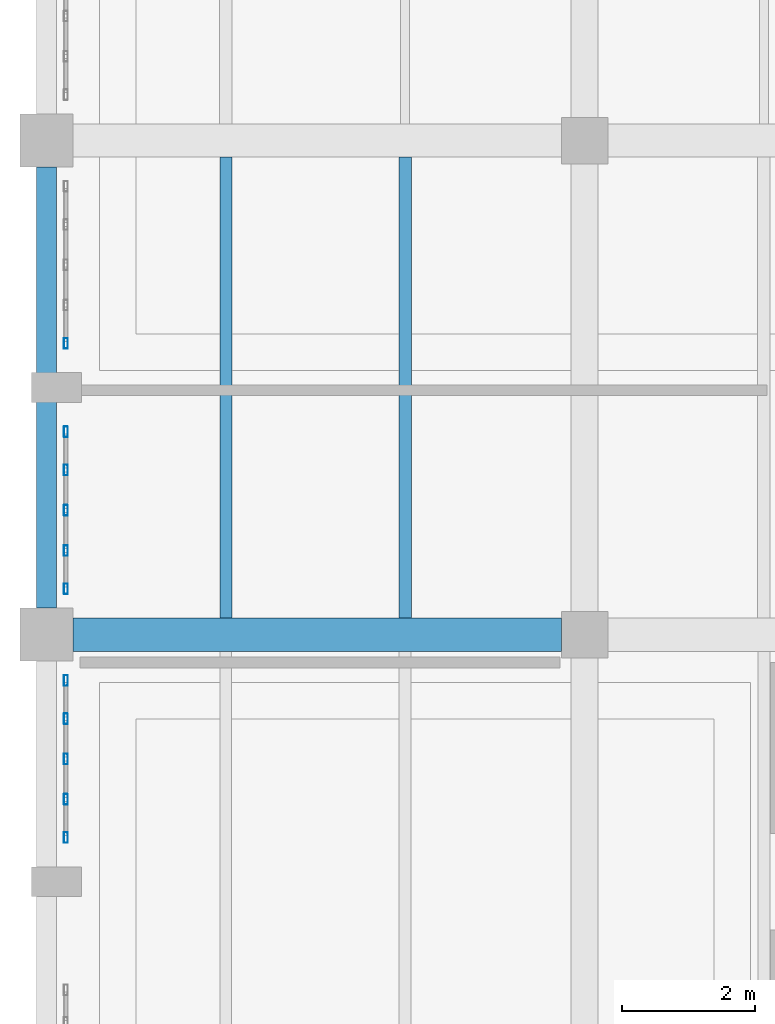
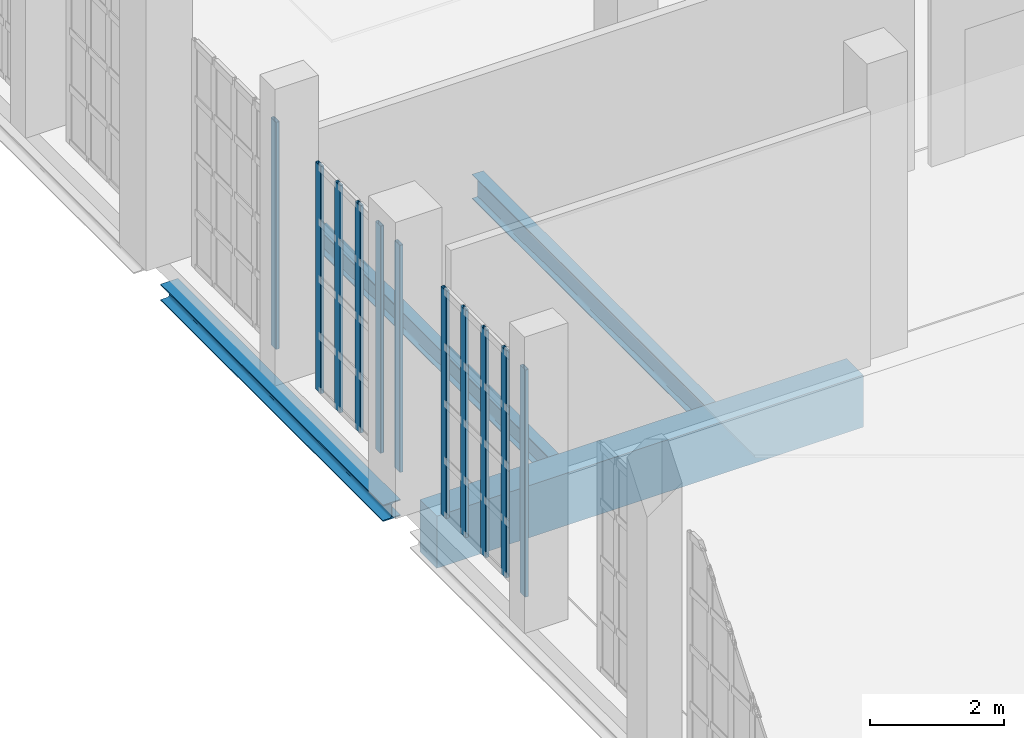
# One storey, part 86 of 372: 11 members, 4 beams, 3 elements without a shape of their own.
"""IFC4 building model written with IfcOpenShell, lengths in metres."""

from ifc_helpers import new_model, si_unit, direction, frame, origin, origin_2d, place, context, subcontext, project, spatial, rectangle, hollow_rectangle, i_section, extrude, material, material_profile, profile_set, type_object, element, aggregate, save


model = new_model("IFC4")

# Units and contexts
model_context = context("Model", 3, precision=1e-05, world=origin(), true_north=direction((0.0, 1.0)))
body_context = subcontext(model_context, "Body", "Model", "MODEL_VIEW")
ifc_project = project(units=[si_unit("LENGTHUNIT", "METRE"), si_unit("AREAUNIT", "SQUARE_METRE"), si_unit("VOLUMEUNIT", "CUBIC_METRE"), si_unit("PLANEANGLEUNIT", "RADIAN"), si_unit("MASSUNIT", "GRAM", prefix="KILO")], contexts=[model_context])

# Site, building, storey
site_placement = place(None, origin())
site = spatial("IfcSite", under=ifc_project, at=site_placement, CompositionType="ELEMENT")
building_placement = place(site_placement, origin())
building = spatial("IfcBuilding", under=site, at=building_placement, Name="Kaelora Sail Theatre", CompositionType="ELEMENT")
storey_placement = place(building_placement, origin())
storey = spatial("IfcBuildingStorey", under=building, at=storey_placement, Name="L00", CompositionType="ELEMENT", Elevation=0.0)

# Curtain wall, members
ifc_material_1 = material(Name="Anodised aluminium and solar-control low-E IGU", Category="aluminium")
curtain_wall_type = type_object("IfcCurtainWallType", Name="ARC-CW-CW-FOY1", PredefinedType="NOTDEFINED", material=ifc_material_1)
curtain_wall_1_placement = place(storey_placement, origin())
curtain_wall_1 = element("IfcCurtainWall", 1, at=curtain_wall_1_placement, inside=storey, type_object=curtain_wall_type, Name="Glazed Colonnade/Courtyard Curtain Wall COLW-W-L00-12", PredefinedType="NOTDEFINED")
ifc_material_2 = material(Name="Anodised aluminium 6063-T6", Category="aluminium")
ifc_material_profile_1 = material_profile(ifc_material_2, hollow_rectangle(XDim=0.06005859375, YDim=0.159912109375, WallThickness=0.00390625, InnerFilletRadius=0.00390625, OuterFilletRadius=0.008056640625, at=origin_2d()), Name="ALU-MULL 60x160x4")
ifc_profile_set_1 = profile_set([ifc_material_profile_1], Name="Anodised aluminium 6063-T6")
member_type = type_object("IfcMemberType", Name="ARC-MEM-ML-160", PredefinedType="MULLION", material=ifc_profile_set_1)
member_1_placement = place(storey_placement, frame((1.7900390625, 57.965087890625, 0.0), z_axis=(0.0, 0.0, 1.0), x_axis=(-1.0, 0.0, 0.0)))
member_1 = element("IfcMember", 2, at=member_1_placement, type_object=member_type, Name="CW-FOY1 mullion 1", PredefinedType="MULLION", context=body_context, shape_type="SweptSolid", body=[
    extrude(hollow_rectangle(XDim=0.06005859375, YDim=0.159912109375, WallThickness=0.00390625, InnerFilletRadius=0.00390625, OuterFilletRadius=0.008056640625, at=origin_2d()), origin(), (0.0, 0.0, 1.0), 4.136962890625),
])
member_2_placement = place(storey_placement, frame((1.7900390625, 58.541259765625, 0.0), z_axis=(0.0, 0.0, 1.0), x_axis=(-1.0, 0.0, 0.0)))
member_2 = element("IfcMember", 3, at=member_2_placement, type_object=member_type, Name="CW-FOY1 mullion 2", PredefinedType="MULLION", context=body_context, shape_type="SweptSolid", body=[
    extrude(hollow_rectangle(XDim=0.06005859375, YDim=0.159912109375, WallThickness=0.00390625, InnerFilletRadius=0.00390625, OuterFilletRadius=0.008056640625, at=origin_2d()), origin(), (0.0, 0.0, 1.0), 4.136962890625),
])
member_3_placement = place(storey_placement, frame((1.7900390625, 59.1474609375, 0.0), z_axis=(0.0, 0.0, 1.0), x_axis=(-1.0, 0.0, 0.0)))
member_3 = element("IfcMember", 4, at=member_3_placement, type_object=member_type, Name="CW-FOY1 mullion 3", PredefinedType="MULLION", context=body_context, shape_type="SweptSolid", body=[
    extrude(hollow_rectangle(XDim=0.06005859375, YDim=0.159912109375, WallThickness=0.00390625, InnerFilletRadius=0.00390625, OuterFilletRadius=0.008056640625, at=origin_2d()), origin(), (0.0, 0.0, 1.0), 4.136962890625),
])
member_4_placement = place(storey_placement, frame((1.7900390625, 59.753662109375, 0.0), z_axis=(0.0, 0.0, 1.0), x_axis=(-1.0, 0.0, 0.0)))
member_4 = element("IfcMember", 5, at=member_4_placement, type_object=member_type, Name="CW-FOY1 mullion 4", PredefinedType="MULLION", context=body_context, shape_type="SweptSolid", body=[
    extrude(hollow_rectangle(XDim=0.06005859375, YDim=0.159912109375, WallThickness=0.00390625, InnerFilletRadius=0.00390625, OuterFilletRadius=0.008056640625, at=origin_2d()), origin(), (0.0, 0.0, 1.0), 4.136962890625),
])
member_5_placement = place(storey_placement, frame((1.7900390625, 60.330078125, 0.0), z_axis=(0.0, 0.0, 1.0), x_axis=(-1.0, 0.0, 0.0)))
member_5 = element("IfcMember", 6, at=member_5_placement, type_object=member_type, Name="CW-FOY1 mullion 5", PredefinedType="MULLION", context=body_context, shape_type="SweptSolid", body=[
    extrude(hollow_rectangle(XDim=0.06005859375, YDim=0.159912109375, WallThickness=0.00390625, InnerFilletRadius=0.00390625, OuterFilletRadius=0.008056640625, at=origin_2d()), origin(), (0.0, 0.0, 1.0), 4.136962890625),
])
aggregate(curtain_wall_1, [member_1, member_2, member_3, member_4, member_5])

curtain_wall_2_placement = place(storey_placement, origin())
curtain_wall_2 = element("IfcCurtainWall", 7, at=curtain_wall_2_placement, inside=storey, type_object=curtain_wall_type, Name="Glazed Colonnade/Courtyard Curtain Wall FW1-W-L00-01", PredefinedType="NOTDEFINED")
member_6_placement = place(storey_placement, frame((1.7900390625, 61.7099609375, 0.0), z_axis=(0.0, 0.0, 1.0), x_axis=(-1.0, 0.0, 0.0)))
member_6 = element("IfcMember", 8, at=member_6_placement, type_object=member_type, Name="CW-FOY1 mullion 1", PredefinedType="MULLION", context=body_context, shape_type="SweptSolid", body=[
    extrude(hollow_rectangle(XDim=0.06005859375, YDim=0.159912109375, WallThickness=0.00390625, InnerFilletRadius=0.00390625, OuterFilletRadius=0.008056640625, at=origin_2d()), origin(), (0.0, 0.0, 1.0), 4.136962890625),
])
member_7_placement = place(storey_placement, frame((1.7900390625, 62.2861328125, 0.0), z_axis=(0.0, 0.0, 1.0), x_axis=(-1.0, 0.0, 0.0)))
member_7 = element("IfcMember", 9, at=member_7_placement, type_object=member_type, Name="CW-FOY1 mullion 2", PredefinedType="MULLION", context=body_context, shape_type="SweptSolid", body=[
    extrude(hollow_rectangle(XDim=0.06005859375, YDim=0.159912109375, WallThickness=0.00390625, InnerFilletRadius=0.00390625, OuterFilletRadius=0.008056640625, at=origin_2d()), origin(), (0.0, 0.0, 1.0), 4.136962890625),
])
member_8_placement = place(storey_placement, frame((1.7900390625, 62.892578125, 0.0), z_axis=(0.0, 0.0, 1.0), x_axis=(-1.0, 0.0, 0.0)))
member_8 = element("IfcMember", 10, at=member_8_placement, type_object=member_type, Name="CW-FOY1 mullion 3", PredefinedType="MULLION", context=body_context, shape_type="SweptSolid", body=[
    extrude(hollow_rectangle(XDim=0.06005859375, YDim=0.159912109375, WallThickness=0.00390625, InnerFilletRadius=0.00390625, OuterFilletRadius=0.008056640625, at=origin_2d()), origin(), (0.0, 0.0, 1.0), 4.136962890625),
])
member_9_placement = place(storey_placement, frame((1.7900390625, 63.498779296875, 0.0), z_axis=(0.0, 0.0, 1.0), x_axis=(-1.0, 0.0, 0.0)))
member_9 = element("IfcMember", 11, at=member_9_placement, type_object=member_type, Name="CW-FOY1 mullion 4", PredefinedType="MULLION", context=body_context, shape_type="SweptSolid", body=[
    extrude(hollow_rectangle(XDim=0.06005859375, YDim=0.159912109375, WallThickness=0.00390625, InnerFilletRadius=0.00390625, OuterFilletRadius=0.008056640625, at=origin_2d()), origin(), (0.0, 0.0, 1.0), 4.136962890625),
])
member_10_placement = place(storey_placement, frame((1.7900390625, 64.074951171875, 0.0), z_axis=(0.0, 0.0, 1.0), x_axis=(-1.0, 0.0, 0.0)))
member_10 = element("IfcMember", 12, at=member_10_placement, type_object=member_type, Name="CW-FOY1 mullion 5", PredefinedType="MULLION", context=body_context, shape_type="SweptSolid", body=[
    extrude(hollow_rectangle(XDim=0.06005859375, YDim=0.159912109375, WallThickness=0.00390625, InnerFilletRadius=0.00390625, OuterFilletRadius=0.008056640625, at=origin_2d()), origin(), (0.0, 0.0, 1.0), 4.136962890625),
])
aggregate(curtain_wall_2, [member_6, member_7, member_8, member_9, member_10])

# Curtain wall, member
curtain_wall_3_placement = place(storey_placement, origin())
curtain_wall_3 = element("IfcCurtainWall", 13, at=curtain_wall_3_placement, inside=storey, type_object=curtain_wall_type, Name="Glazed Colonnade/Courtyard Curtain Wall FW1-W-L00-02", PredefinedType="NOTDEFINED")
member_11_placement = place(storey_placement, frame((1.7900390625, 65.405029296875, 0.0), z_axis=(0.0, 0.0, 1.0), x_axis=(-1.0, 0.0, 0.0)))
member_11 = element("IfcMember", 14, at=member_11_placement, type_object=member_type, Name="CW-FOY1 mullion 1", PredefinedType="MULLION", context=body_context, shape_type="SweptSolid", body=[
    extrude(hollow_rectangle(XDim=0.06005859375, YDim=0.159912109375, WallThickness=0.00390625, InnerFilletRadius=0.00390625, OuterFilletRadius=0.008056640625, at=origin_2d()), origin(), (0.0, 0.0, 1.0), 4.136962890625),
])
aggregate(curtain_wall_3, [member_11])

# Beams
ifc_material_3 = material(Name="Steel S355", Category="steel")
ifc_material_profile_2 = material_profile(ifc_material_3, i_section(OverallWidth=0.18994140625, OverallDepth=0.449951171875, WebThickness=0.009521484375, FlangeThickness=0.0146484375, FilletRadius=0.02099609375, at=origin_2d()), Name="IPE 450")
ifc_profile_set_2 = profile_set([ifc_material_profile_2], Name="Steel S355")
beam_type_1 = type_object("IfcBeamType", Name="STR-BM-BM-IPE450", PredefinedType="BEAM", material=ifc_profile_set_2)
beam_1_placement = place(storey_placement, frame((6.89990234375, 61.27001953125, -0.544921875), z_axis=(0.0, 1.0, 0.0), x_axis=(-1.0, 0.0, 0.0)))
element("IfcBeam", 15, at=beam_1_placement, inside=storey, type_object=beam_type_1, Name="Secondary floor joist 1/I-2 (L00)", PredefinedType="BEAM", context=body_context, shape_type="SweptSolid", body=[
    extrude(i_section(OverallWidth=0.18994140625, OverallDepth=0.449951171875, WebThickness=0.009521484375, FlangeThickness=0.0146484375, FilletRadius=0.02099609375, at=origin_2d()), origin(), (0.0, 0.0, 1.0), 6.93994140625),
])
ifc_material_4 = material(Name="Concrete C45/55", Category="concrete")
ifc_material_profile_3 = material_profile(ifc_material_4, rectangle(XDim=0.5, YDim=0.949951171875, at=origin_2d()), Name="RC-GRD 500x950")
ifc_profile_set_3 = profile_set([ifc_material_profile_3], Name="Concrete C45/55")
beam_type_2 = type_object("IfcBeamType", Name="STR-BM-GR-RC5095", PredefinedType="T_BEAM", material=ifc_profile_set_3)
beam_2_placement = place(storey_placement, frame((1.89990234375, 61.02001953125, -0.794921875), z_axis=(1.0, 0.0, 0.0), x_axis=(0.0, 1.0, 0.0)))
element("IfcBeam", 16, at=beam_2_placement, inside=storey, type_object=beam_type_2, Name="Primary beam I 1-2 (L00)", PredefinedType="T_BEAM", context=body_context, shape_type="SweptSolid", body=[
    extrude(rectangle(XDim=0.5, YDim=0.949951171875, at=origin_2d()), origin(), (0.0, 0.0, 1.0), 7.35009765625),
])
ifc_material_5 = material(Name="Steel S355", Category="steel")
ifc_material_profile_4 = material_profile(ifc_material_5, i_section(OverallWidth=0.179931640625, OverallDepth=0.39990234375, WebThickness=0.008544921875, FlangeThickness=0.013427734375, FilletRadius=0.02099609375, at=origin_2d()), Name="IPE 400")
ifc_profile_set_4 = profile_set([ifc_material_profile_4], Name="Steel S355")
beam_type_3 = type_object("IfcBeamType", Name="STR-BM-JS-IPE400", PredefinedType="JOIST", material=ifc_profile_set_4)
beam_3_placement = place(storey_placement, frame((4.199951171875, 61.27001953125, -0.52001953125), z_axis=(0.0, 1.0, 0.0), x_axis=(-1.0, 0.0, 0.0)))
element("IfcBeam", 17, at=beam_3_placement, inside=storey, type_object=beam_type_3, Name="Secondary floor joist 1/I-1 (L00)", PredefinedType="JOIST", context=body_context, shape_type="SweptSolid", body=[
    extrude(i_section(OverallWidth=0.179931640625, OverallDepth=0.39990234375, WebThickness=0.008544921875, FlangeThickness=0.013427734375, FilletRadius=0.02099609375, at=origin_2d()), origin(), (0.0, 0.0, 1.0), 6.93994140625),
])
ifc_material_6 = material(Name="Steel S355", Category="steel")
ifc_material_profile_5 = material_profile(ifc_material_6, i_section(OverallWidth=0.300048828125, OverallDepth=0.300048828125, WebThickness=0.010986328125, FlangeThickness=0.01904296875, FilletRadius=0.027099609375, at=origin_2d()), Name="HEB 300")
ifc_profile_set_5 = profile_set([ifc_material_profile_5], Name="Steel S355")
beam_type_4 = type_object("IfcBeamType", Name="STR-BM-SP-HEB300", PredefinedType="SPANDREL", material=ifc_profile_set_5)
beam_4_placement = place(storey_placement, frame((1.5, 61.419921875, -0.469970703125), z_axis=(0.0, 1.0, 0.0), x_axis=(-1.0, 0.0, 0.0)))
element("IfcBeam", 18, at=beam_4_placement, inside=storey, type_object=beam_type_4, Name="Primary beam 1 I-J (L00)", PredefinedType="SPANDREL", context=body_context, shape_type="SweptSolid", body=[
    extrude(i_section(OverallWidth=0.300048828125, OverallDepth=0.300048828125, WebThickness=0.010986328125, FlangeThickness=0.01904296875, FilletRadius=0.027099609375, at=origin_2d()), origin(), (0.0, 0.0, 1.0), 6.64013671875),
])

save(model, "model.ifc")
